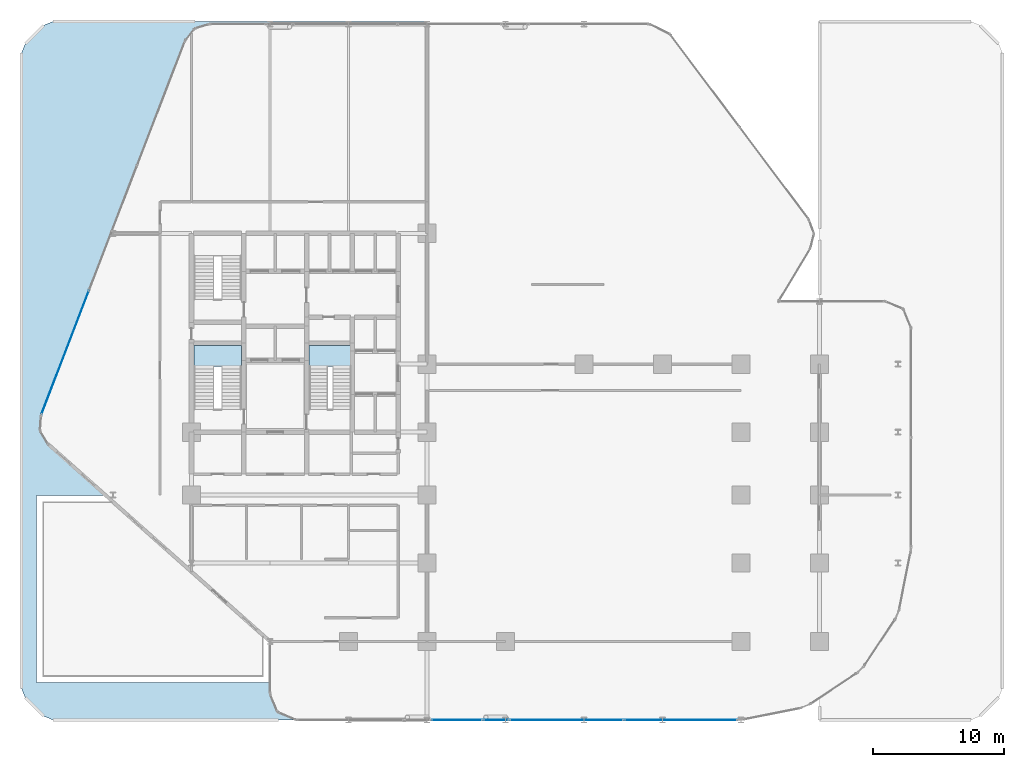
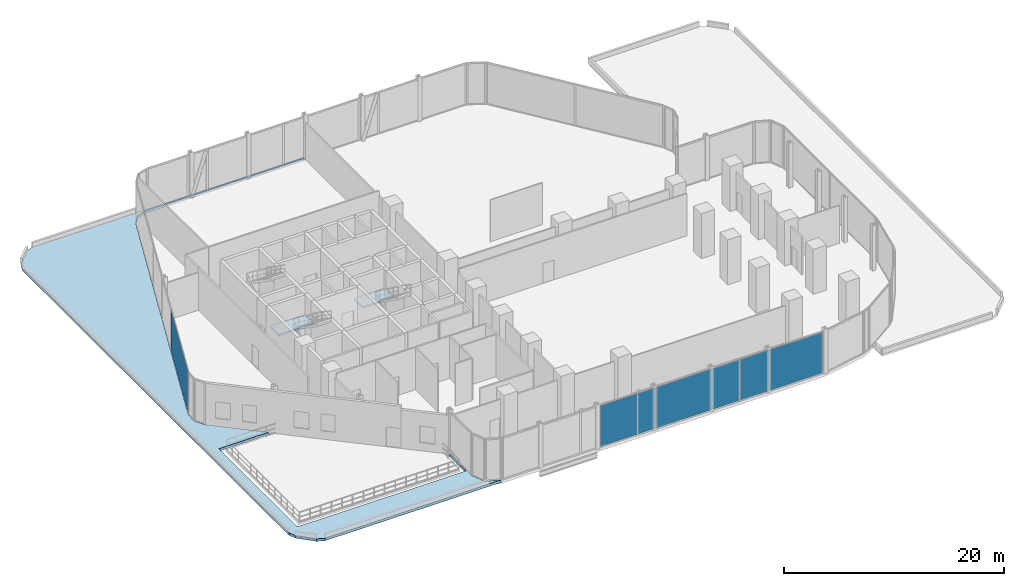
# One storey, part 18 of 29: 5 plates, 3 slabs, 6 elements without a shape of their own.
"""IFC4 building model written with IfcOpenShell, lengths in metres."""

from ifc_helpers import new_model, si_unit, direction, frame, origin, origin_2d, place, context, subcontext, project, spatial, polyline, rectangle, outline, extrude, material, layer, layer_set, type_object, element, aggregate, save


model = new_model("IFC4")

# Units and contexts
model_context = context("Model", 3, precision=1e-05, world=origin(), true_north=direction((0.0, 1.0)))
body_context = subcontext(model_context, "Body", "Model", "MODEL_VIEW")
ifc_project = project(units=[si_unit("LENGTHUNIT", "METRE"), si_unit("AREAUNIT", "SQUARE_METRE"), si_unit("VOLUMEUNIT", "CUBIC_METRE"), si_unit("PLANEANGLEUNIT", "RADIAN"), si_unit("MASSUNIT", "GRAM", prefix="KILO")], contexts=[model_context])

# Site, building, storey
site_placement = place(None, origin())
site = spatial("IfcSite", under=ifc_project, at=site_placement, CompositionType="ELEMENT")
building_placement = place(site_placement, origin())
building = spatial("IfcBuilding", under=site, at=building_placement, Name="Keshet Zoharim Tower", CompositionType="ELEMENT")
storey_placement = place(building_placement, frame((0.0, 0.0, 19.0)))
storey = spatial("IfcBuildingStorey", under=building, at=storey_placement, Name="L03", CompositionType="ELEMENT", Elevation=19.0)

# Curtain wall, plate
ifc_material_1 = material(Name="Aluminium 6063-T6", Category="aluminium")
ifc_layer_1 = layer(ifc_material_1, 0.179931640625)
ifc_layer_set_1 = layer_set([ifc_layer_1], Name="Aluminium 6063-T6")
curtain_wall_type = type_object("IfcCurtainWallType", Name="CW-SYS-01", PredefinedType="NOTDEFINED", material=ifc_layer_set_1)
curtain_wall_1_placement = place(storey_placement, origin())
curtain_wall_1 = element("IfcCurtainWall", 1, at=curtain_wall_1_placement, inside=storey, type_object=curtain_wall_type, Name="L03 Unitised Curtain Wall 03", PredefinedType="NOTDEFINED")
ifc_material_2 = material(Name="Insulated Low-E Clear Glass", Category="glass")
ifc_layer_2 = layer(ifc_material_2, 0.035888671875)
ifc_layer_set_2 = layer_set([ifc_layer_2], Name="Insulated Low-E Clear Glass")
plate_type_1 = type_object("IfcPlateType", Name="CWP-01", PredefinedType="CURTAIN_PANEL", material=ifc_layer_set_2)
plate_1_placement = place(storey_placement, frame((5.33837890625, 28.7802734375, 0.070068359375), z_axis=(0.0, 0.0, 1.0), x_axis=(0.358990003907, 0.933341404361, 0.0)))
plate_1 = element("IfcPlate", 2, at=plate_1_placement, type_object=plate_type_1, Name="CW-01 panel 1.1", PredefinedType="CURTAIN_PANEL", context=body_context, shape_type="SweptSolid", body=[
    extrude(rectangle(XDim=10.1181640625, YDim=0.035888671875, at=origin_2d()), origin(), (0.0, 0.0, 1.0), 4.544921875),
])
aggregate(curtain_wall_1, [plate_1])

# Curtain wall, plates
curtain_wall_2_placement = place(storey_placement, origin())
curtain_wall_2 = element("IfcCurtainWall", 3, at=curtain_wall_2_placement, inside=storey, type_object=curtain_wall_type, Name="L03 Unitised Curtain Wall 25", PredefinedType="NOTDEFINED")
plate_2_placement = place(storey_placement, frame((52.402099609375, 0.699951171875, 0.070068359375), z_axis=(0.0, 0.0, 1.0), x_axis=(-1.0, 0.0, 0.0)))
plate_2 = element("IfcPlate", 4, at=plate_2_placement, type_object=plate_type_1, Name="CW-01 panel 1.1", PredefinedType="CURTAIN_PANEL", context=body_context, shape_type="SweptSolid", body=[
    extrude(rectangle(XDim=8.661865234375, YDim=0.035888671875, at=origin_2d()), origin(), (0.0, 0.0, 1.0), 4.544921875),
])
plate_3_placement = place(storey_placement, frame((43.670166015625, 0.699951171875, 0.070068359375), z_axis=(0.0, 0.0, 1.0), x_axis=(-1.0, 0.0, 0.0)))
plate_3 = element("IfcPlate", 5, at=plate_3_placement, type_object=plate_type_1, Name="CW-01 panel 2.1", PredefinedType="CURTAIN_PANEL", context=body_context, shape_type="SweptSolid", body=[
    extrude(rectangle(XDim=8.661865234375, YDim=0.035888671875, at=origin_2d()), origin(), (0.0, 0.0, 1.0), 4.544921875),
])
aggregate(curtain_wall_2, [plate_2, plate_3])

# Curtain wall, plate
curtain_wall_3_placement = place(storey_placement, origin())
curtain_wall_3 = element("IfcCurtainWall", 6, at=curtain_wall_3_placement, inside=storey, type_object=curtain_wall_type, Name="L03 Unitised Curtain Wall 25 Part 3", PredefinedType="NOTDEFINED")
plate_4_placement = place(storey_placement, frame((35.284912109375, 0.699951171875, 0.070068359375), z_axis=(0.0, 0.0, 1.0), x_axis=(-1.0, 0.0, 0.0)))
plate_4 = element("IfcPlate", 7, at=plate_4_placement, type_object=plate_type_1, Name="CW-01 panel 1.1", PredefinedType="CURTAIN_PANEL", context=body_context, shape_type="SweptSolid", body=[
    extrude(rectangle(XDim=3.891357421875, YDim=0.035888671875, at=origin_2d()), origin(), (0.0, 0.0, 1.0), 4.544921875),
])
aggregate(curtain_wall_3, [plate_4])

curtain_wall_4_placement = place(storey_placement, origin())
curtain_wall_4 = element("IfcCurtainWall", 8, at=curtain_wall_4_placement, inside=storey, type_object=curtain_wall_type, Name="L03 Unitised Curtain Wall 25 Part 2", PredefinedType="NOTDEFINED")
ifc_material_3 = material(Name="Insulated Aluminium Spandrel Panel", Category="aluminium")
ifc_layer_3 = layer(ifc_material_3, 0.035888671875)
ifc_layer_set_3 = layer_set([ifc_layer_3], Name="Insulated Aluminium Spandrel Panel")
plate_type_2 = type_object("IfcPlateType", Name="CWP-04", PredefinedType="CURTAIN_PANEL", material=ifc_layer_set_3)
plate_5_placement = place(storey_placement, frame((38.284912109375, 0.699951171875, 0.070068359375), z_axis=(0.0, 0.0, 1.0), x_axis=(-1.0, 0.0, 0.0)))
plate_5 = element("IfcPlate", 9, at=plate_5_placement, type_object=plate_type_2, Name="CW-01 spandrel panel 1.1", PredefinedType="CURTAIN_PANEL", context=body_context, shape_type="SweptSolid", body=[
    extrude(rectangle(XDim=1.968505859375, YDim=0.035888671875, at=origin_2d()), origin(), (0.0, 0.0, 1.0), 4.544921875),
])
aggregate(curtain_wall_4, [plate_5])

# Stair, slab
ifc_material_4 = material(Name="Concrete C50/60", Category="concrete")
stair_type = type_object("IfcStairType", Name="STR-EXIT-135", PredefinedType="HALF_TURN_STAIR", material=ifc_material_4)
stair_1_placement = place(storey_placement, origin())
stair_1 = element("IfcStair", 10, at=stair_1_placement, inside=storey, type_object=stair_type, Name="L03 Enclosed Exit Stair ST-01", PredefinedType="HALF_TURN_STAIR")
ifc_layer_4 = layer(ifc_material_4, 0.199951171875)
ifc_layer_set_4 = layer_set([ifc_layer_4], Name="Concrete C50/60")
slab_type_1 = type_object("IfcSlabType", Name="SLB-LND-200", PredefinedType="LANDING", material=ifc_layer_set_4)
slab_1_placement = place(storey_placement, frame((0.0, 0.0, 2.300048828125)))
slab_1 = element("IfcSlab", 11, at=slab_1_placement, type_object=slab_type_1, Name="ST-01 landing 1", PredefinedType="LANDING", context=body_context, shape_type="SweptSolid", body=[
    extrude(outline(polyline([(15.179931640625, 27.714111328125), (18.820068359375, 27.714111328125), (18.820068359375, 29.320068359375), (15.179931640625, 29.320068359375), (15.179931640625, 27.714111328125)])), origin(), (0.0, 0.0, 1.0), 0.199951171875),
])
aggregate(stair_1, [slab_1])

stair_2_placement = place(storey_placement, origin())
stair_2 = element("IfcStair", 12, at=stair_2_placement, inside=storey, type_object=stair_type, Name="L03 Enclosed Exit Stair ST-03", PredefinedType="HALF_TURN_STAIR")
slab_2_placement = place(storey_placement, frame((0.0, 0.0, 2.300048828125)))
slab_2 = element("IfcSlab", 13, at=slab_2_placement, type_object=slab_type_1, Name="ST-03 landing 1", PredefinedType="LANDING", context=body_context, shape_type="SweptSolid", body=[
    extrude(outline(polyline([(23.97998046875, 27.714111328125), (27.219970703125, 27.714111328125), (27.219970703125, 29.320068359375), (23.97998046875, 29.320068359375), (23.97998046875, 27.714111328125)])), origin(), (0.0, 0.0, 1.0), 0.199951171875),
])
aggregate(stair_2, [slab_2])

# Slab
ifc_layer_5 = layer(ifc_material_4, 0.280029296875)
ifc_layer_set_5 = layer_set([ifc_layer_5], Name="Concrete C50/60")
slab_type_2 = type_object("IfcSlabType", Name="SLB-SET-280", PredefinedType="ROOF", material=ifc_layer_set_5)
slab_3_placement = place(storey_placement, frame((0.0, 0.0, -0.280029296875)))
element("IfcSlab", 14, at=slab_3_placement, inside=storey, type_object=slab_type_2, Name="L03 Setback Weather Roof Slab 1", PredefinedType="ROOF", context=body_context, shape_type="SweptSolid", body=[
    extrude(outline(polyline([(2.29296875, 52.39306640625), (3.70703125, 53.806884765625), (4.4140625, 54.10009765625), (33.0, 54.10009765625), (33.0, 53.925048828125), (16.3701171875, 53.925048828125), (15.22607421875, 53.571044921875), (14.485107421875, 52.631103515625), (3.471923828125, 23.998046875), (3.39501953125, 22.7958984375), (4.01611328125, 21.763916015625), (8.424072265625, 17.844970703125), (3.155029296875, 17.844970703125), (3.155029296875, 3.554931640625), (20.945068359375, 3.554931640625), (20.945068359375, 6.715087890625), (20.97509765625, 2.695068359375), (21.56689453125, 1.26708984375), (22.93505859375, 0.699951171875), (4.4140625, 0.699951171875), (3.70703125, 0.992919921875), (2.29296875, 2.406982421875), (2.0, 3.114013671875), (2.0, 51.68603515625), (2.29296875, 52.39306640625)])), origin(), (0.0, 0.0, 1.0), 0.280029296875),
])

save(model, "model.ifc")
